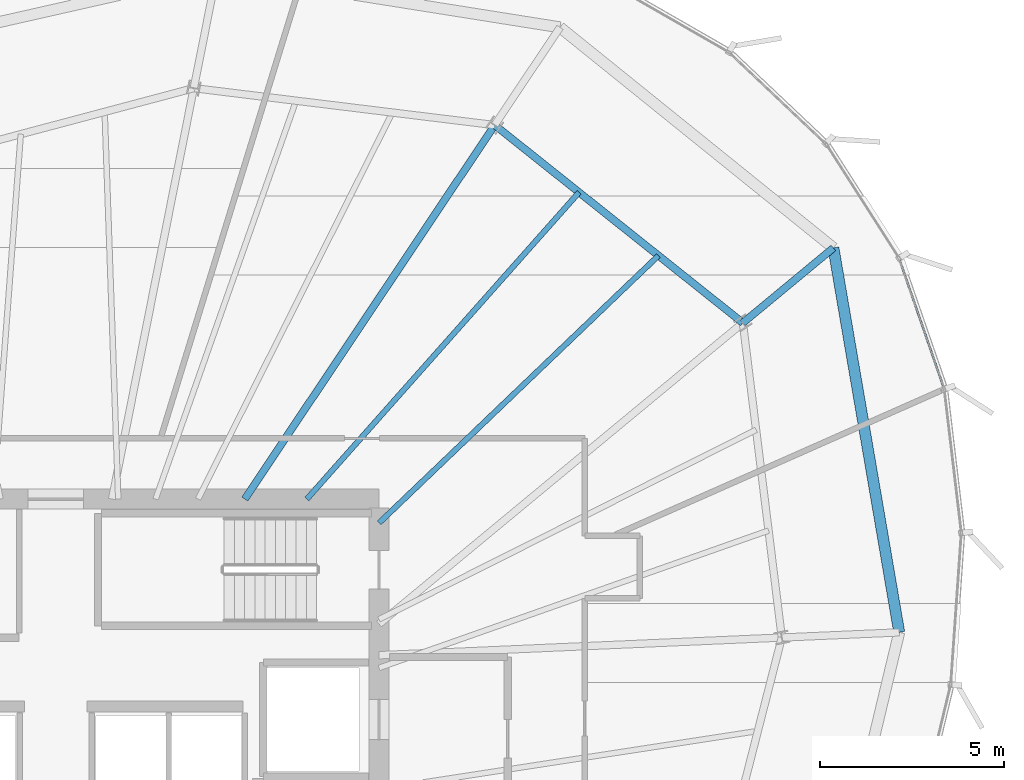
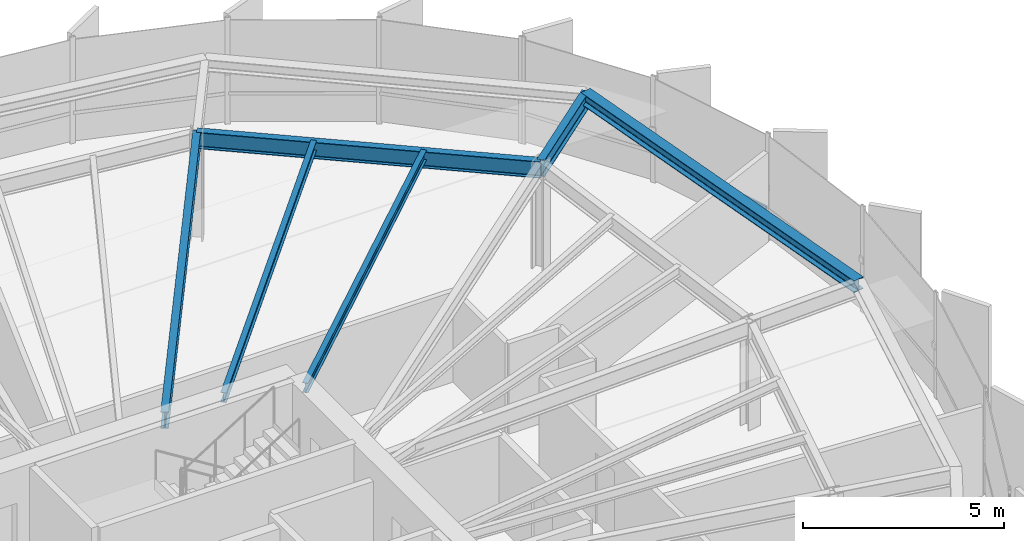
# One storey, part 24 of 35: 6 beams, 1 member, 1 element without a shape of its own.
"""IFC4 building model written with IfcOpenShell, lengths in metres."""

from ifc_helpers import new_model, si_unit, direction, frame, origin, origin_2d, place, context, subcontext, project, spatial, hollow_rectangle, i_section, extrude, source, transform, mapped, material, layer, layer_set, material_profile, profile_set, type_object, element, aggregate, save


model = new_model("IFC4")

# Units and contexts
model_context = context("Model", 3, precision=1e-05, world=origin(), true_north=direction((0.0, 1.0)))
body_context = subcontext(model_context, "Body", "Model", "MODEL_VIEW")
ifc_project = project(units=[si_unit("LENGTHUNIT", "METRE"), si_unit("AREAUNIT", "SQUARE_METRE"), si_unit("VOLUMEUNIT", "CUBIC_METRE"), si_unit("PLANEANGLEUNIT", "RADIAN"), si_unit("MASSUNIT", "GRAM", prefix="KILO"), si_unit("THERMODYNAMICTEMPERATUREUNIT", "KELVIN")], contexts=[model_context])

# Site, building, storey
site_placement = place(None, origin())
site = spatial("IfcSite", under=ifc_project, at=site_placement, CompositionType="ELEMENT")
building_placement = place(site_placement, origin())
building = spatial("IfcBuilding", under=site, at=building_placement, Name="Kethvar Cultural Tower", CompositionType="ELEMENT")
storey_placement = place(building_placement, frame((0.0, 0.0, 193.89990234375)))
storey = spatial("IfcBuildingStorey", under=building, at=storey_placement, Name="L50", CompositionType="ELEMENT", Elevation=193.89990234375)

# Beams
ifc_material_1 = material(Name="Steel S355J2", Category="steel")
ifc_material_profile_1 = material_profile(ifc_material_1, i_section(OverallWidth=0.199951171875, OverallDepth=0.5, WebThickness=0.01025390625, FlangeThickness=0.01611328125, FilletRadius=0.02099609375, at=origin_2d()), Name="Steel S355J2 — IPE500")
ifc_profile_set_1 = profile_set([ifc_material_profile_1], Name="Steel S355J2 — IPE500")
beam_type_1 = type_object("IfcBeamType", Name="BM-IPE500", PredefinedType="BEAM", material=ifc_profile_set_1)
shared_shape_1 = source(origin(), body_context, "Body", "SweptSolid", [
    extrude(i_section(OverallWidth=0.199951171875, OverallDepth=0.5, WebThickness=0.01025390625, FlangeThickness=0.01611328125, FilletRadius=0.02099609375, at=origin_2d()), origin(), (0.0, 0.0, 1.0), 3.199951171875),
])
beam_1_placement = place(storey_placement, frame((65.504150390625, 40.297607421875, 3.008056640625), z_axis=(0.770324538831, 0.637652024913, 0.0), x_axis=(-0.637652024913, 0.770324538831, 0.0)))
element("IfcBeam", 1, at=beam_1_placement, inside=storey, type_object=beam_type_1, Name="L50 Perimeter Cantilever Beam RC-02", PredefinedType="BEAM", context=body_context, shape_type="MappedRepresentation", body=[
    mapped(shared_shape_1, transform((0.0, 0.0, 0.0), scale=1.0)),
])
shared_shape_2 = source(origin(), body_context, "Body", "SweptSolid", [
    extrude(i_section(OverallWidth=0.199951171875, OverallDepth=0.5, WebThickness=0.01025390625, FlangeThickness=0.01611328125, FilletRadius=0.02099609375, at=origin_2d()), origin(), (0.0, 0.0, 1.0), 12.2451171875),
])
beam_2_placement = place(storey_placement, frame((51.945068359375, 35.5, 3.008056640625), z_axis=(0.555569492312, 0.831470107227, 0.0), x_axis=(-0.831470107227, 0.555569492312, 0.0)))
element("IfcBeam", 2, at=beam_2_placement, inside=storey, type_object=beam_type_1, Name="L50 Primary Radial Beam RB-03", PredefinedType="BEAM", context=body_context, shape_type="MappedRepresentation", body=[
    mapped(shared_shape_2, transform((0.0, 0.0, 0.0), scale=1.0)),
])
ifc_material_profile_2 = material_profile(ifc_material_1, i_section(OverallWidth=0.300048828125, OverallDepth=0.360107421875, WebThickness=0.012451171875, FlangeThickness=0.0224609375, FilletRadius=0.027099609375, at=origin_2d()), Name="Steel S355J2 — HEB360")
ifc_profile_set_2 = profile_set([ifc_material_profile_2], Name="Steel S355J2 — HEB360")
beam_type_2 = type_object("IfcBeamType", Name="BM-SP360", PredefinedType="SPANDREL", material=ifc_profile_set_2)
shared_shape_3 = source(origin(), body_context, "Body", "SweptSolid", [
    extrude(i_section(OverallWidth=0.300048828125, OverallDepth=0.360107421875, WebThickness=0.012451171875, FlangeThickness=0.0224609375, FilletRadius=0.027099609375, at=origin_2d()), origin(), (0.0, 0.0, 1.0), 10.618896484375),
])
beam_3_placement = place(storey_placement, frame((69.760986328125, 31.87158203125, 3.078125), z_axis=(-0.168733441284, 0.985661719756, 0.0), x_axis=(-0.985661719756, -0.168733441284, 0.0)))
element("IfcBeam", 3, at=beam_3_placement, inside=storey, type_object=beam_type_2, Name="L50 Perimeter Spandrel Beam SP-01", PredefinedType="SPANDREL", context=body_context, shape_type="MappedRepresentation", body=[
    mapped(shared_shape_3, transform((0.0, 0.0, 0.0), scale=1.0)),
])
shared_shape_4 = source(origin(), body_context, "Body", "SweptSolid", [
    extrude(i_section(OverallWidth=0.199951171875, OverallDepth=0.5, WebThickness=0.01025390625, FlangeThickness=0.01611328125, FilletRadius=0.02099609375, at=origin_2d()), origin(), (0.0, 0.0, 1.0), 8.638916015625),
])
beam_4_placement = place(storey_placement, frame((65.504150390625, 40.297607421875, 3.008056640625), z_axis=(-0.782058475366, 0.623205055425, 0.0), x_axis=(-0.623205055425, -0.782058475366, 0.0)))
element("IfcBeam", 4, at=beam_4_placement, inside=storey, type_object=beam_type_1, Name="L50 Column Ring Tie Beam CR-02", PredefinedType="BEAM", context=body_context, shape_type="MappedRepresentation", body=[
    mapped(shared_shape_4, transform((0.0, 0.0, 0.0), scale=1.0)),
])
ifc_material_profile_3 = material_profile(ifc_material_1, i_section(OverallWidth=0.14990234375, OverallDepth=0.300048828125, WebThickness=0.007080078125, FlangeThickness=0.0107421875, FilletRadius=0.014892578125, at=origin_2d()), Name="Steel S355J2 — IPE300")
ifc_profile_set_3 = profile_set([ifc_material_profile_3], Name="Steel S355J2 — IPE300")
beam_type_3 = type_object("IfcBeamType", Name="BM-J300", PredefinedType="JOIST", material=ifc_profile_set_3)
shared_shape_5 = source(origin(), body_context, "Body", "SweptSolid", [
    extrude(i_section(OverallWidth=0.14990234375, OverallDepth=0.300048828125, WebThickness=0.007080078125, FlangeThickness=0.0107421875, FilletRadius=0.014892578125, at=origin_2d()), origin(), (0.0, 0.0, 1.0), 10.52783203125),
])
beam_5_placement = place(storey_placement, frame((55.60009765625, 34.85009765625, 3.108154296875), z_axis=(0.722552708299, 0.691315835006, 0.0), x_axis=(-0.691315835006, 0.722552708299, 0.0)))
element("IfcBeam", 5, at=beam_5_placement, inside=storey, type_object=beam_type_3, Name="L50 Composite Floor Joist J-02A", PredefinedType="JOIST", context=body_context, shape_type="MappedRepresentation", body=[
    mapped(shared_shape_5, transform((0.0, 0.0, 0.0), scale=1.0)),
])
shared_shape_6 = source(origin(), body_context, "Body", "SweptSolid", [
    extrude(i_section(OverallWidth=0.14990234375, OverallDepth=0.300048828125, WebThickness=0.007080078125, FlangeThickness=0.0107421875, FilletRadius=0.014892578125, at=origin_2d()), origin(), (0.0, 0.0, 1.0), 11.16552734375),
])
beam_6_placement = place(storey_placement, frame((53.6337890625, 35.5, 3.108154296875), z_axis=(0.663773261048, 0.747933859321, 0.0), x_axis=(-0.747933859321, 0.663773261048, 0.0)))
element("IfcBeam", 6, at=beam_6_placement, inside=storey, type_object=beam_type_3, Name="L50 Composite Floor Joist J-02B", PredefinedType="JOIST", context=body_context, shape_type="MappedRepresentation", body=[
    mapped(shared_shape_6, transform((0.0, 0.0, 0.0), scale=1.0)),
])

# Curtain wall, member
ifc_material_2 = material(Name="Aluminium 6063-T6", Category="aluminium")
ifc_layer = layer(ifc_material_2, 0.179931640625, Name="Aluminium 6063-T6", Category="aluminium")
ifc_layer_set = layer_set([ifc_layer], Name="Aluminium 6063-T6 (180 mm)")
curtain_wall_type = type_object("IfcCurtainWallType", Name="CW-SYS-04-Z34", PredefinedType="NOTDEFINED", material=ifc_layer_set)
curtain_wall_placement = place(storey_placement, origin())
curtain_wall = element("IfcCurtainWall", 7, at=curtain_wall_placement, inside=storey, type_object=curtain_wall_type, Name="L50 Curtain Wall Run 06", PredefinedType="NOTDEFINED")
ifc_material_profile_4 = material_profile(ifc_material_2, hollow_rectangle(XDim=0.050048828125, YDim=0.10009765625, WallThickness=0.00390625, at=origin_2d()), Name="Aluminium 6063-T6 — RHS100x50x4")
ifc_profile_set_4 = profile_set([ifc_material_profile_4], Name="Aluminium 6063-T6 — RHS100x50x4")
member_type = type_object("IfcMemberType", Name="CW-SYS-04-Z34-TRN", PredefinedType="USERDEFINED", material=ifc_profile_set_4)
shared_shape_7 = source(origin(), body_context, "Body", "SweptSolid", [
    extrude(hollow_rectangle(XDim=0.050048828125, YDim=0.10009765625, WallThickness=0.00390625, at=origin_2d()), origin(), (0.0, 0.0, 1.0), 3.707275390625),
])
member_placement = place(storey_placement, frame((70.971923828125, 38.533935546875, 0.9501953125), z_axis=(-0.326443232872, 0.945216808839, 0.0), x_axis=(-0.945216808839, -0.326443232872, 0.0)))
member = element("IfcMember", 8, at=member_placement, type_object=member_type, Name="CW-L50-R06 Transom 5", ObjectType="TRANSOM", PredefinedType="USERDEFINED", context=body_context, shape_type="MappedRepresentation", body=[
    mapped(shared_shape_7, transform((0.0, 0.0, 0.0), scale=1.0)),
])
aggregate(curtain_wall, [member])

save(model, "model.ifc")
